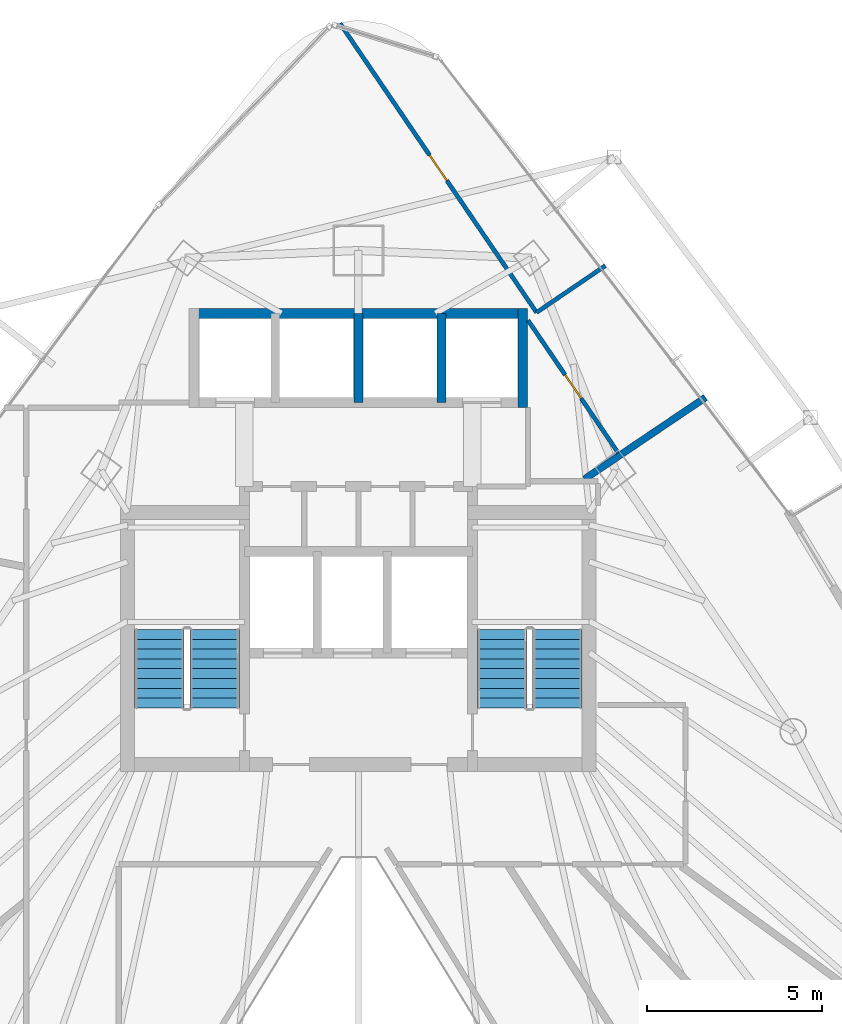
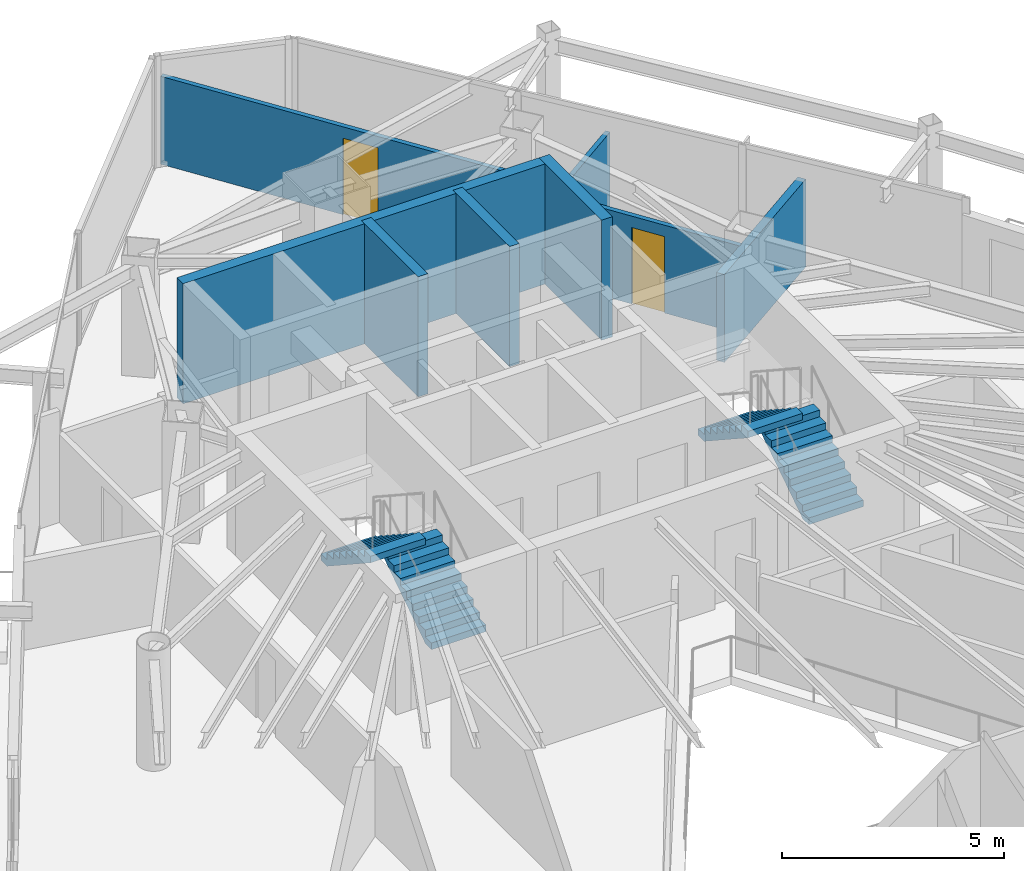
# One storey, part 26 of 29: 8 walls, 4 stair flights, 2 doors, 2 openings, 2 elements without a shape of their own.
"""IFC4 building model written with IfcOpenShell, lengths in metres."""

from ifc_helpers import new_model, si_unit, direction, frame, frame_2d, origin, place, context, subcontext, project, spatial, polyline, rectangle, outline, extrude, material, layer, layer_set, type_object, element, fill, aggregate, save


model = new_model("IFC4")

# Units and contexts
model_context = context("Model", 3, precision=1e-05, world=origin(), true_north=direction((0.0, 1.0)))
body_context = subcontext(model_context, "Body", "Model", "MODEL_VIEW")
ifc_project = project(units=[si_unit("LENGTHUNIT", "METRE"), si_unit("AREAUNIT", "SQUARE_METRE"), si_unit("VOLUMEUNIT", "CUBIC_METRE"), si_unit("PLANEANGLEUNIT", "RADIAN"), si_unit("MASSUNIT", "GRAM", prefix="KILO")], contexts=[model_context])

# Site, building, storey
site_placement = place(None, origin())
site = spatial("IfcSite", under=ifc_project, at=site_placement, CompositionType="ELEMENT")
building_placement = place(site_placement, origin())
building = spatial("IfcBuilding", under=site, at=building_placement, Name="Orvanel Arch Residences", CompositionType="ELEMENT")
storey_placement = place(building_placement, frame((0.0, 0.0, 160.550048828125)))
storey = spatial("IfcBuildingStorey", under=building, at=storey_placement, Name="L45", CompositionType="ELEMENT", Elevation=160.550048828125)

# Walls
ifc_material_1 = material(Name="Concrete N50 (50 MPa)", Category="concrete")
ifc_layer_1 = layer(ifc_material_1, 0.25)
ifc_layer_set_1 = layer_set([ifc_layer_1], Name="Concrete N50 (50 MPa)")
wall_type_1 = type_object("IfcWallType", Name="SW-CORE-250", PredefinedType="SHEAR", material=ifc_layer_set_1)
for number, where, z_axis, x_axis, name in (
    (1, (33.0, 37.050048828125, 0.0), (0.0, 0.0, 1.0), (0.0, 1.0, 0.0), "L45 Passenger Lift Inter-Shaft Wall P56"),
    (2, (35.375, 37.050048828125, 0.0), (0.0, 0.0, 1.0), (0.0, 1.0, 0.0), "L45 Passenger Lift Inter-Shaft Wall P64"),
):
    element("IfcWall", number, at=place(storey_placement, frame(where, z_axis=z_axis, x_axis=x_axis)), inside=storey, type_object=wall_type_1, Name=name, PredefinedType="SHEAR", context=body_context, shape_type="SweptSolid", body=[
        extrude(rectangle(XDim=2.550048828125, YDim=0.25, at=frame_2d((1.27490234375, 0.0))), origin(), (0.0, 0.0, 1.0), 3.300048828125),
    ])
ifc_material_2 = material(Name="Concrete S65 (65 MPa)", Category="concrete")
ifc_layer_2 = layer(ifc_material_2, 0.280029296875)
ifc_layer_set_2 = layer_set([ifc_layer_2], Name="Concrete S65 (65 MPa)")
wall_type_2 = type_object("IfcWallType", Name="SW-CORE-280", PredefinedType="SHEAR", material=ifc_layer_set_2)
wall_1_placement = place(storey_placement, frame((28.159912109375, 39.60009765625, 0.0), z_axis=(0.0, 0.0, 1.0), x_axis=(1.0, 0.0, 0.0)))
element("IfcWall", 3, at=wall_1_placement, inside=storey, type_object=wall_type_2, Name="L45 Passenger Lift Bank North Shear Wall", PredefinedType="SHEAR", context=body_context, shape_type="SweptSolid", body=[
    extrude(rectangle(XDim=9.68017578125, YDim=0.280029296875, at=frame_2d((4.840087890625, 0.0))), origin(), (0.0, 0.0, 1.0), 3.300048828125),
])
wall_2_placement = place(storey_placement, frame((37.699951171875, 36.909912109375, 0.0), z_axis=(0.0, 0.0, 1.0), x_axis=(0.0, 1.0, 0.0)))
element("IfcWall", 4, at=wall_2_placement, inside=storey, type_object=wall_type_2, Name="L45 Passenger Lift Bank East Shear Wall", PredefinedType="SHEAR", context=body_context, shape_type="SweptSolid", body=[
    extrude(rectangle(XDim=2.830078125, YDim=0.280029296875, at=frame_2d((1.4150390625, 0.0))), origin(), (0.0, 0.0, 1.0), 3.300048828125),
])
ifc_material_3 = material(Name="Fire-rated plasterboard lined steel stud partition", Category="steel")
ifc_layer_3 = layer(ifc_material_3, 0.199951171875)
ifc_layer_set_3 = layer_set([ifc_layer_3], Name="Fire-rated plasterboard lined steel stud partition")
wall_type_3 = type_object("IfcWallType", Name="W-DEM-200", PredefinedType="PARTITIONING", material=ifc_layer_set_3)
wall_3_placement = place(storey_placement, frame((39.464111328125, 34.860107421875, 0.0), z_axis=(0.0, 0.0, 1.0), x_axis=(0.828976210701, 0.559283865395, 0.0)))
element("IfcWall", 5, at=wall_3_placement, inside=storey, type_object=wall_type_3, Name="L45 Inter-Tenancy Acoustic Demising Wall", PredefinedType="PARTITIONING", context=body_context, shape_type="SweptSolid", body=[
    extrude(rectangle(XDim=4.17138671875, YDim=0.199951171875, at=frame_2d((2.085693359375, 0.0))), origin(), (0.0, 0.0, 1.0), 2.412841796875),
])

# Wall, opening, door
ifc_material_4 = material(Name="Acoustic plasterboard lined twin-stud partition", Category="gypsum")
ifc_layer_4 = layer(ifc_material_4, 0.1201171875)
ifc_layer_set_4 = layer_set([ifc_layer_4], Name="Acoustic plasterboard lined twin-stud partition")
wall_type_4 = type_object("IfcWallType", Name="W-WET-120", PredefinedType="PARTITIONING", material=ifc_layer_set_4)
wall_4_placement = place(storey_placement, frame((40.427001953125, 35.612060546875, 0.0), z_axis=(0.0, 0.0, 1.0), x_axis=(-0.562385802303, 0.826874965982, 0.0)))
wall_4 = element("IfcWall", 6, at=wall_4_placement, inside=storey, type_object=wall_type_4, Name="L45 Studio F Bathroom Partition", PredefinedType="PARTITIONING", context=body_context, shape_type="SweptSolid", body=[
    extrude(rectangle(XDim=4.58203125, YDim=0.1201171875, at=frame_2d((2.291015625, 0.0))), origin(), (0.0, 0.0, 1.0), 2.412841796875),
])
opening_1_placement = place(wall_4_placement, frame((1.881103515625, 0.0, 0.0)))
opening_1 = element("IfcOpeningElement", 7, at=opening_1_placement, cuts=wall_4, Name="Opening DW-082", PredefinedType="OPENING", context=body_context, shape_type="SweptSolid", body=[
    extrude(rectangle(XDim=0.820068359375, YDim=2.10009765625, at=frame_2d((0.41015625, 1.050048828125))), frame((0.0, 0.070068359375, 0.0), z_axis=(0.0, -1.0, 0.0), x_axis=(1.0, 0.0, 0.0)), (0.0, 0.0, 1.0), 0.14013671875),
])
ifc_material_5 = material(Name="Solid-core European oak veneer fire door leaf", Category="wood")
door_type_1 = type_object("IfcDoorType", Name="DR-WET-820", OperationType="NOTDEFINED", PredefinedType="DOOR", material=ifc_material_5)
door_1_placement = place(opening_1_placement, origin())
door_1 = element("IfcDoor", 8, at=door_1_placement, inside=storey, type_object=door_type_1, Name="DR-L45-F-BATH L45 Studio F Bathroom Door", OperationType="SINGLE_SWING_RIGHT", OverallHeight=2.10009765625, OverallWidth=0.820068359375, PredefinedType="DOOR", context=body_context, shape_type="SweptSolid", body=[
    extrude(rectangle(XDim=0.820068359375, YDim=2.10009765625, at=frame_2d((0.41015625, 1.050048828125))), frame((0.0, 0.02490234375, 0.0), z_axis=(0.0, -1.0, 0.0), x_axis=(1.0, 0.0, 0.0)), (0.0, 0.0, 1.0), 0.050048828125),
])
fill(opening_1, door_1)

wall_5_placement = place(storey_placement, frame((32.472900390625, 47.89208984375, 0.0), z_axis=(0.0, 0.0, 1.0), x_axis=(0.562273950157, -0.826951029369, 0.0)))
wall_5 = element("IfcWall", 9, at=wall_5_placement, inside=storey, type_object=wall_type_4, Name="L45 Studio F Internal Partition", PredefinedType="PARTITIONING", context=body_context, shape_type="SweptSolid", body=[
    extrude(rectangle(XDim=9.9970703125, YDim=0.1201171875, at=frame_2d((4.99853515625, 0.0))), origin(), (0.0, 0.0, 1.0), 2.412841796875),
])
opening_2_placement = place(wall_5_placement, frame((4.55810546875, 0.0, 0.0)))
opening_2 = element("IfcOpeningElement", 10, at=opening_2_placement, cuts=wall_5, Name="Opening DI-088", PredefinedType="OPENING", context=body_context, shape_type="SweptSolid", body=[
    extrude(rectangle(XDim=0.8798828125, YDim=2.10009765625, at=frame_2d((0.43994140625, 1.050048828125))), frame((0.0, 0.070068359375, 0.0), z_axis=(0.0, -1.0, 0.0), x_axis=(1.0, 0.0, 0.0)), (0.0, 0.0, 1.0), 0.14013671875),
])
door_type_2 = type_object("IfcDoorType", Name="DR-INT-880", OperationType="NOTDEFINED", PredefinedType="DOOR", material=ifc_material_5)
door_2_placement = place(opening_2_placement, origin())
door_2 = element("IfcDoor", 11, at=door_2_placement, inside=storey, type_object=door_type_2, Name="DR-L45-F-KIT L45 Studio F Kitchenette Door", OperationType="SINGLE_SWING_LEFT", OverallHeight=2.10009765625, OverallWidth=0.8798828125, PredefinedType="DOOR", context=body_context, shape_type="SweptSolid", body=[
    extrude(rectangle(XDim=0.8798828125, YDim=2.10009765625, at=frame_2d((0.43994140625, 1.050048828125))), frame((0.0, 0.02490234375, 0.0), z_axis=(0.0, -1.0, 0.0), x_axis=(1.0, 0.0, 0.0)), (0.0, 0.0, 1.0), 0.050048828125),
])
fill(opening_2, door_2)

# Wall
wall_6_placement = place(storey_placement, frame((38.093994140625, 39.625, 0.0), z_axis=(0.0, 0.0, 1.0), x_axis=(0.826798473187, 0.562498253096, 0.0)))
element("IfcWall", 12, at=wall_6_placement, inside=storey, type_object=wall_type_4, Name="L45 Studio F Internal Partition", PredefinedType="PARTITIONING", context=body_context, shape_type="SweptSolid", body=[
    extrude(rectangle(XDim=2.376708984375, YDim=0.1201171875, at=frame_2d((1.1884765625, 0.0))), origin(), (0.0, 0.0, 1.0), 2.412841796875),
])

# Stair, stair flights
ifc_material_6 = material(Name="Precast concrete N50 (50 MPa)", Category="concrete")
stair_type = type_object("IfcStairType", Name="STR-DOG-184", PredefinedType="USERDEFINED", material=ifc_material_6)
stair_1_placement = place(storey_placement, origin())
stair_1 = element("IfcStair", 13, at=stair_1_placement, inside=storey, type_object=stair_type, Name="L45 Fire-Isolated Core Exit Stair 1", ObjectType="TWO_RETURN_STAIR", PredefinedType="USERDEFINED")
stair_flight_type_1 = type_object("IfcStairFlightType", Name="SFL-C1-184", PredefinedType="STRAIGHT", material=ifc_material_6)
stair_flight_1_placement = place(storey_placement, frame((28.889892578125, 28.320068359375, 0.0), z_axis=(0.0, 0.0, 1.0), x_axis=(0.0, 1.0, 0.0)))
stair_flight_1 = element("IfcStairFlight", 14, at=stair_flight_1_placement, type_object=stair_flight_type_1, Name="ST-1 flight 1", NumberOfRisers=9, NumberOfTreads=8, PredefinedType="STRAIGHT", RiserHeight=0.183333333, TreadLength=0.28, context=body_context, shape_type="SweptSolid", body=[
    extrude(outline(polyline([(0.0, 0.0), (0.0, 0.183349609375), (0.280029296875, 0.183349609375), (0.280029296875, 0.36669921875), (0.56005859375, 0.36669921875), (0.56005859375, 0.550048828125), (0.840087890625, 0.550048828125), (0.840087890625, 0.7333984375), (1.1201171875, 0.7333984375), (1.1201171875, 0.916748046875), (1.39990234375, 0.916748046875), (1.39990234375, 1.10009765625), (1.679931640625, 1.10009765625), (1.679931640625, 1.283447265625), (1.9599609375, 1.283447265625), (1.9599609375, 1.466552734375), (2.239990234375, 1.466552734375), (2.239990234375, 1.64990234375), (2.239990234375, 1.28759765625), (0.273681640625, 0.0), (0.0, 0.0)])), frame((0.0, 0.7099609375, 0.0), z_axis=(0.0, -1.0, 0.0), x_axis=(1.0, 0.0, 0.0)), (0.0, 0.0, 1.0), 1.419921875),
])
stair_flight_2_placement = place(storey_placement, frame((27.31005859375, 30.56005859375, 1.64990234375), z_axis=(0.0, 0.0, 1.0), x_axis=(0.0, -1.0, 0.0)))
stair_flight_2 = element("IfcStairFlight", 15, at=stair_flight_2_placement, type_object=stair_flight_type_1, Name="ST-1 flight 2", NumberOfRisers=9, NumberOfTreads=8, PredefinedType="STRAIGHT", RiserHeight=0.183333333, TreadLength=0.28, context=body_context, shape_type="SweptSolid", body=[
    extrude(outline(polyline([(0.0, 0.0), (0.0, 0.183349609375), (0.280029296875, 0.183349609375), (0.280029296875, 0.36669921875), (0.56005859375, 0.36669921875), (0.56005859375, 0.550048828125), (0.840087890625, 0.550048828125), (0.840087890625, 0.7333984375), (1.1201171875, 0.7333984375), (1.1201171875, 0.916748046875), (1.39990234375, 0.916748046875), (1.39990234375, 1.10009765625), (1.679931640625, 1.10009765625), (1.679931640625, 1.283447265625), (1.9599609375, 1.283447265625), (1.9599609375, 1.466552734375), (2.239990234375, 1.466552734375), (2.239990234375, 1.64990234375), (2.239990234375, 1.28759765625), (0.273681640625, 0.0), (0.0, 0.0)])), frame((0.0, 0.7099609375, 0.0), z_axis=(0.0, -1.0, 0.0), x_axis=(1.0, 0.0, 0.0)), (0.0, 0.0, 1.0), 1.419921875),
])
aggregate(stair_1, [stair_flight_1, stair_flight_2])

stair_2_placement = place(storey_placement, origin())
stair_2 = element("IfcStair", 16, at=stair_2_placement, inside=storey, type_object=stair_type, Name="L45 Fire-Isolated Core Exit Stair 2", ObjectType="TWO_RETURN_STAIR", PredefinedType="USERDEFINED")
stair_flight_type_2 = type_object("IfcStairFlightType", Name="SFL-C2-184", PredefinedType="STRAIGHT", material=ifc_material_6)
stair_flight_3_placement = place(storey_placement, frame((38.68994140625, 28.320068359375, 0.0), z_axis=(0.0, 0.0, 1.0), x_axis=(0.0, 1.0, 0.0)))
stair_flight_3 = element("IfcStairFlight", 17, at=stair_flight_3_placement, type_object=stair_flight_type_2, Name="ST-2 flight 1", NumberOfRisers=9, NumberOfTreads=8, PredefinedType="STRAIGHT", RiserHeight=0.183333333, TreadLength=0.28, context=body_context, shape_type="SweptSolid", body=[
    extrude(outline(polyline([(0.0, 0.0), (0.0, 0.183349609375), (0.280029296875, 0.183349609375), (0.280029296875, 0.36669921875), (0.56005859375, 0.36669921875), (0.56005859375, 0.550048828125), (0.840087890625, 0.550048828125), (0.840087890625, 0.7333984375), (1.1201171875, 0.7333984375), (1.1201171875, 0.916748046875), (1.39990234375, 0.916748046875), (1.39990234375, 1.10009765625), (1.679931640625, 1.10009765625), (1.679931640625, 1.283447265625), (1.9599609375, 1.283447265625), (1.9599609375, 1.466552734375), (2.239990234375, 1.466552734375), (2.239990234375, 1.64990234375), (2.239990234375, 1.28759765625), (0.273681640625, 0.0), (0.0, 0.0)])), frame((0.0, 0.7099609375, 0.0), z_axis=(0.0, -1.0, 0.0), x_axis=(1.0, 0.0, 0.0)), (0.0, 0.0, 1.0), 1.419921875),
])
stair_flight_4_placement = place(storey_placement, frame((37.110107421875, 30.56005859375, 1.64990234375), z_axis=(0.0, 0.0, 1.0), x_axis=(0.0, -1.0, 0.0)))
stair_flight_4 = element("IfcStairFlight", 18, at=stair_flight_4_placement, type_object=stair_flight_type_2, Name="ST-2 flight 2", NumberOfRisers=9, NumberOfTreads=8, PredefinedType="STRAIGHT", RiserHeight=0.183333333, TreadLength=0.28, context=body_context, shape_type="SweptSolid", body=[
    extrude(outline(polyline([(0.0, 0.0), (0.0, 0.183349609375), (0.280029296875, 0.183349609375), (0.280029296875, 0.36669921875), (0.56005859375, 0.36669921875), (0.56005859375, 0.550048828125), (0.840087890625, 0.550048828125), (0.840087890625, 0.7333984375), (1.1201171875, 0.7333984375), (1.1201171875, 0.916748046875), (1.39990234375, 0.916748046875), (1.39990234375, 1.10009765625), (1.679931640625, 1.10009765625), (1.679931640625, 1.283447265625), (1.9599609375, 1.283447265625), (1.9599609375, 1.466552734375), (2.239990234375, 1.466552734375), (2.239990234375, 1.64990234375), (2.239990234375, 1.28759765625), (0.273681640625, 0.0), (0.0, 0.0)])), frame((0.0, 0.7099609375, 0.0), z_axis=(0.0, -1.0, 0.0), x_axis=(1.0, 0.0, 0.0)), (0.0, 0.0, 1.0), 1.419921875),
])
aggregate(stair_2, [stair_flight_3, stair_flight_4])

save(model, "model.ifc")
